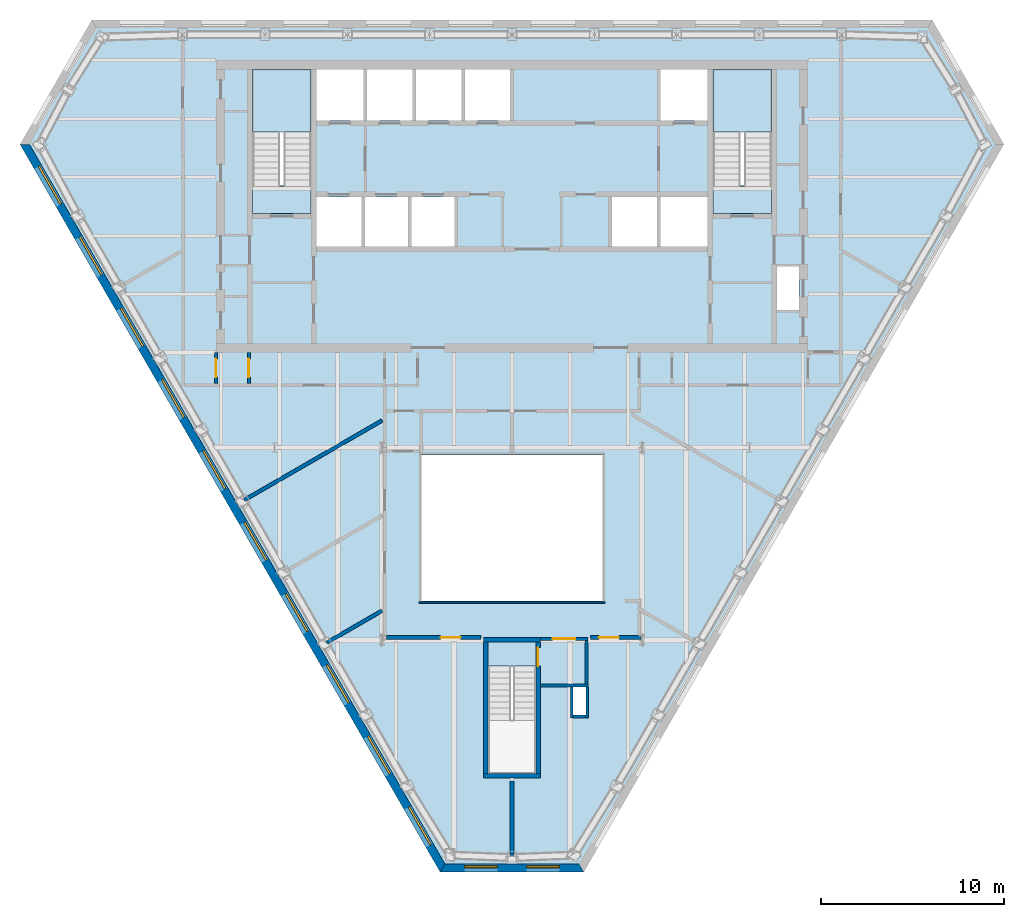
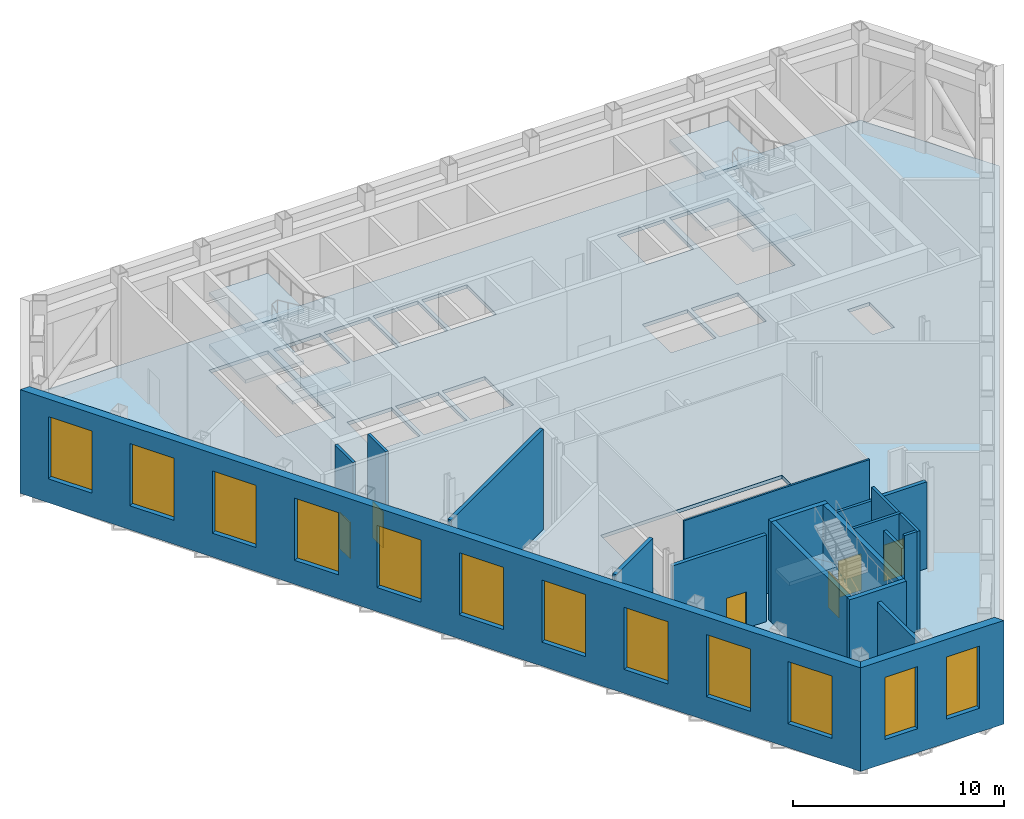
# One storey, part 6 of 13: 20 walls, 12 shading devices, 8 slabs, 6 doors, 18 openings, 3 elements without a shape of their own.
"""IFC4 building model written with IfcOpenShell, lengths in metres."""

from ifc_helpers import new_model, si_unit, direction, frame, frame_2d, origin, place, context, subcontext, project, spatial, polyline, rectangle, outline, extrude, material, layer, layer_set, type_object, element, fill, aggregate, save


model = new_model("IFC4")

# Units and contexts
model_context = context("Model", 3, precision=1e-05, world=origin(), true_north=direction((0.0, 1.0)))
body_context = subcontext(model_context, "Body", "Model", "MODEL_VIEW")
ifc_project = project(units=[si_unit("LENGTHUNIT", "METRE"), si_unit("AREAUNIT", "SQUARE_METRE"), si_unit("VOLUMEUNIT", "CUBIC_METRE"), si_unit("PLANEANGLEUNIT", "RADIAN"), si_unit("MASSUNIT", "GRAM", prefix="KILO")], contexts=[model_context])

# Site, building, storey
site_placement = place(None, origin())
site = spatial("IfcSite", under=ifc_project, at=site_placement, CompositionType="ELEMENT")
building_placement = place(site_placement, origin())
building = spatial("IfcBuilding", under=site, at=building_placement, Name="Njiva Tower", CompositionType="ELEMENT")
storey_placement = place(building_placement, frame((0.0, 0.0, 186.6)))
storey = spatial("IfcBuildingStorey", under=building, at=storey_placement, Name="L41", CompositionType="ELEMENT", Elevation=186.6)

# Stair, slabs
ifc_material_1 = material(Name="Concrete C40/50", Category="concrete")
stair_type_1 = type_object("IfcStairType", Name="ST4 Exit stair 1500", PredefinedType="HALF_TURN_STAIR", material=ifc_material_1)
stair_1_placement = place(storey_placement, origin())
stair_1 = element("IfcStair", 1, at=stair_1_placement, inside=storey, type_object=stair_type_1, Name="Stair A", PredefinedType="DOUBLE_RETURN_STAIR")
ifc_layer_1 = layer(ifc_material_1, 0.2)
ifc_layer_set_1 = layer_set([ifc_layer_1], Name="Concrete C40/50")
slab_type_1 = type_object("IfcSlabType", Name="FL9 Stair landing 200", PredefinedType="LANDING", material=ifc_layer_set_1)
slab_1_placement = place(storey_placement, frame((0.0, 0.0, 1.3)))
slab_1 = element("IfcSlab", 2, at=slab_1_placement, type_object=slab_type_1, Name="ST-A landing 1", PredefinedType="LANDING", context=body_context, shape_type="SweptSolid", body=[
    extrude(outline(polyline([(-14.206, 14.07), (-10.994, 14.07), (-10.994, 17.5), (-14.206, 17.5), (-14.206, 14.07)])), origin(), (0.0, 0.0, 1.0), 0.2),
])
slab_2_placement = place(storey_placement, frame((0.0, 0.0, 2.8)))
slab_2 = element("IfcSlab", 3, at=slab_2_placement, type_object=slab_type_1, Name="ST-A landing 2", PredefinedType="LANDING", context=body_context, shape_type="SweptSolid", body=[
    extrude(outline(polyline([(-14.206, 9.6), (-10.994, 9.6), (-10.994, 11.1), (-14.206, 11.1), (-14.206, 9.6)])), origin(), (0.0, 0.0, 1.0), 0.2),
])
slab_3_placement = place(storey_placement, frame((0.0, 0.0, 4.3)))
slab_3 = element("IfcSlab", 4, at=slab_3_placement, type_object=slab_type_1, Name="ST-A landing 3", PredefinedType="LANDING", context=body_context, shape_type="SweptSolid", body=[
    extrude(outline(polyline([(-14.206, 14.07), (-10.994, 14.07), (-10.994, 17.5), (-14.206, 17.5), (-14.206, 14.07)])), origin(), (0.0, 0.0, 1.0), 0.2),
])
aggregate(stair_1, [slab_1, slab_2, slab_3])

stair_2_placement = place(storey_placement, origin())
stair_2 = element("IfcStair", 5, at=stair_2_placement, inside=storey, type_object=stair_type_1, Name="Stair B", PredefinedType="DOUBLE_RETURN_STAIR")
slab_4_placement = place(storey_placement, frame((0.0, 0.0, 1.3)))
slab_4 = element("IfcSlab", 6, at=slab_4_placement, type_object=slab_type_1, Name="ST-B landing 1", PredefinedType="LANDING", context=body_context, shape_type="SweptSolid", body=[
    extrude(outline(polyline([(10.994, 14.07), (14.206, 14.07), (14.206, 17.5), (10.994, 17.5), (10.994, 14.07)])), origin(), (0.0, 0.0, 1.0), 0.2),
])
slab_5_placement = place(storey_placement, frame((0.0, 0.0, 2.8)))
slab_5 = element("IfcSlab", 7, at=slab_5_placement, type_object=slab_type_1, Name="ST-B landing 2", PredefinedType="LANDING", context=body_context, shape_type="SweptSolid", body=[
    extrude(outline(polyline([(10.994, 9.6), (14.206, 9.6), (14.206, 11.1), (10.994, 11.1), (10.994, 9.6)])), origin(), (0.0, 0.0, 1.0), 0.2),
])
slab_6_placement = place(storey_placement, frame((0.0, 0.0, 4.3)))
slab_6 = element("IfcSlab", 8, at=slab_6_placement, type_object=slab_type_1, Name="ST-B landing 3", PredefinedType="LANDING", context=body_context, shape_type="SweptSolid", body=[
    extrude(outline(polyline([(10.994, 14.07), (14.206, 14.07), (14.206, 17.5), (10.994, 17.5), (10.994, 14.07)])), origin(), (0.0, 0.0, 1.0), 0.2),
])
aggregate(stair_2, [slab_4, slab_5, slab_6])

# Stair, slab
stair_type_2 = type_object("IfcStairType", Name="ST1 Exit stair 1250", PredefinedType="HALF_TURN_STAIR", material=ifc_material_1)
stair_3_placement = place(storey_placement, origin())
stair_3 = element("IfcStair", 9, at=stair_3_placement, inside=storey, type_object=stair_type_2, Name="Stair C", PredefinedType="DOUBLE_RETURN_STAIR")
slab_7_placement = place(storey_placement, frame((0.0, 0.0, 2.8)))
slab_7 = element("IfcSlab", 10, at=slab_7_placement, type_object=slab_type_1, Name="ST-C landing 2", PredefinedType="LANDING", context=body_context, shape_type="SweptSolid", body=[
    extrude(outline(polyline([(-1.306, -15.16), (1.306, -15.16), (1.306, -13.85), (-1.306, -13.85), (-1.306, -15.16)])), origin(), (0.0, 0.0, 1.0), 0.2),
])
aggregate(stair_3, [slab_7])

# Slab
ifc_material_2 = material(Name="Concrete C30/37", Category="concrete")
ifc_layer_2 = layer(ifc_material_2, 0.2)
ifc_layer_set_2 = layer_set([ifc_layer_2], Name="Concrete C30/37")
slab_type_2 = type_object("IfcSlabType", Name="SL16 Composite floor slab 200", PredefinedType="FLOOR", material=ifc_layer_set_2)
slab_8_placement = place(storey_placement, frame((0.0, 0.0, -0.2)))
element("IfcSlab", 11, at=slab_8_placement, inside=storey, type_object=slab_type_2, Name="Floor slab L41", PredefinedType="FLOOR", context=body_context, shape_type="SweptSolid", body=[
    extrude(outline(polyline([(26.6702, 13.393), (3.8001, -26.2191), (-3.8001, -26.2191), (-26.6702, 13.393), (-22.8701, 19.975), (22.8701, 19.975), (26.6702, 13.393)]), holes=[polyline([(14.5, 4.3264), (15.7, 4.3264), (15.7, 6.7), (14.5, 6.7), (14.5, 4.3264)]), polyline([(10.994, 11.13), (14.206, 11.13), (14.206, 17.5), (10.994, 17.5), (10.994, 11.13)]), polyline([(8.125, 14.7), (10.7, 14.7), (10.7, 17.5), (8.125, 17.5), (8.125, 14.7)]), polyline([(8.1333, 7.8), (10.7, 7.8), (10.7, 10.5), (8.1333, 10.5), (8.1333, 7.8)]), polyline([(5.4667, 7.8), (7.9333, 7.8), (7.9333, 10.5), (5.4667, 10.5), (5.4667, 7.8)]), polyline([(4.96, -11.6), (4.96, -3.6), (-4.96, -3.6), (-4.96, -11.6), (4.96, -11.6)]), polyline([(3.35, -17.85), (4.05, -17.85), (4.05, -16.3), (3.35, -16.3), (3.35, -17.85)]), polyline([(-1.306, -21.05), (1.306, -21.05), (1.306, -15.19), (-1.306, -15.19), (-1.306, -21.05)]), polyline([(-2.575, 14.7), (-0.1, 14.7), (-0.1, 17.5), (-2.575, 17.5), (-2.575, 14.7)]), polyline([(-5.25, 14.7), (-2.775, 14.7), (-2.775, 17.5), (-5.25, 17.5), (-5.25, 14.7)]), polyline([(-5.5, 7.8), (-3.15, 7.8), (-3.15, 10.5), (-5.5, 10.5), (-5.5, 7.8)]), polyline([(-7.925, 14.7), (-5.45, 14.7), (-5.45, 17.5), (-7.925, 17.5), (-7.925, 14.7)]), polyline([(-8.05, 7.8), (-5.7, 7.8), (-5.7, 10.5), (-8.05, 10.5), (-8.05, 7.8)]), polyline([(-10.7, 14.7), (-8.125, 14.7), (-8.125, 17.5), (-10.7, 17.5), (-10.7, 14.7)]), polyline([(-10.7, 7.8), (-8.25, 7.8), (-8.25, 10.5), (-10.7, 10.5), (-10.7, 7.8)]), polyline([(-14.206, 11.13), (-10.994, 11.13), (-10.994, 17.5), (-14.206, 17.5), (-14.206, 11.13)])]), origin(), (0.0, 0.0, 1.0), 0.2),
])

# Wall, opening, door
ifc_material_3 = material(Name="Gypsum board on steel studs", Category="gypsum")
ifc_layer_3 = layer(ifc_material_3, 0.15)
ifc_layer_set_3 = layer_set([ifc_layer_3], Name="Gypsum board on steel studs")
wall_type_1 = type_object("IfcWallType", Name="WT21 Compartment wall 150", PredefinedType="PARTITIONING", material=ifc_layer_set_3)
wall_1_placement = place(storey_placement, frame((-16.2, 0.3, 0.0), z_axis=(0.0, 0.0, 1.0), x_axis=(0.0, 1.0, 0.0)))
wall_1 = element("IfcWall", 12, at=wall_1_placement, inside=storey, type_object=wall_type_1, Name="Partition T3-P005", PredefinedType="PARTITIONING", context=body_context, shape_type="SweptSolid", body=[
    extrude(rectangle(XDim=1.7, YDim=0.15, at=frame_2d((0.85, 0.0))), origin(), (0.0, 0.0, 1.0), 5.8),
])
opening_1_placement = place(wall_1_placement, frame((0.35, 0.0, 0.0)))
opening_1 = element("IfcOpeningElement", 13, at=opening_1_placement, cuts=wall_1, Name="Opening T3-D003", PredefinedType="OPENING", context=body_context, shape_type="SweptSolid", body=[
    extrude(rectangle(XDim=1.0, YDim=2.1, at=frame_2d((0.5, 1.05))), frame((0.0, 0.085, 0.0), z_axis=(0.0, -1.0, 0.0), x_axis=(1.0, 0.0, 0.0)), (0.0, 0.0, 1.0), 0.17),
])
ifc_material_4 = material(Name="Steel fire door set", Category="steel")
door_type_1 = type_object("IfcDoorType", Name="D37 Fire door 1000x2100", OperationType="SINGLE_SWING_LEFT", PredefinedType="DOOR", material=ifc_material_4)
door_1_placement = place(opening_1_placement, origin())
door_1 = element("IfcDoor", 14, at=door_1_placement, inside=storey, type_object=door_type_1, Name="Door T3-D003", OperationType="SINGLE_SWING_RIGHT", OverallHeight=2.1, OverallWidth=1.0, PredefinedType="DOOR", context=body_context, shape_type="SweptSolid", body=[
    extrude(rectangle(XDim=1.0, YDim=2.1, at=frame_2d((0.5, 1.05))), frame((0.0, 0.025, 0.0), z_axis=(0.0, -1.0, 0.0), x_axis=(1.0, 0.0, 0.0)), (0.0, 0.0, 1.0), 0.05),
])
fill(opening_1, door_1)

wall_2_placement = place(storey_placement, frame((-14.4, 0.3, 0.0), z_axis=(0.0, 0.0, 1.0), x_axis=(0.0, 1.0, 0.0)))
wall_2 = element("IfcWall", 15, at=wall_2_placement, inside=storey, type_object=wall_type_1, Name="Partition T3-P007", PredefinedType="PARTITIONING", context=body_context, shape_type="SweptSolid", body=[
    extrude(rectangle(XDim=1.7, YDim=0.15, at=frame_2d((0.85, 0.0))), origin(), (0.0, 0.0, 1.0), 5.8),
])
opening_2_placement = place(wall_2_placement, frame((0.35, 0.0, 0.0)))
opening_2 = element("IfcOpeningElement", 16, at=opening_2_placement, cuts=wall_2, Name="Opening T3-D004", PredefinedType="OPENING", context=body_context, shape_type="SweptSolid", body=[
    extrude(rectangle(XDim=1.0, YDim=2.1, at=frame_2d((0.5, 1.05))), frame((0.0, 0.085, 0.0), z_axis=(0.0, -1.0, 0.0), x_axis=(1.0, 0.0, 0.0)), (0.0, 0.0, 1.0), 0.17),
])
door_2_placement = place(opening_2_placement, origin())
door_2 = element("IfcDoor", 17, at=door_2_placement, inside=storey, type_object=door_type_1, Name="Door T3-D004", OperationType="SINGLE_SWING_LEFT", OverallHeight=2.1, OverallWidth=1.0, PredefinedType="DOOR", context=body_context, shape_type="SweptSolid", body=[
    extrude(rectangle(XDim=1.0, YDim=2.1, at=frame_2d((0.5, 1.05))), frame((0.0, 0.025, 0.0), z_axis=(0.0, -1.0, 0.0), x_axis=(1.0, 0.0, 0.0)), (0.0, 0.0, 1.0), 0.05),
])
fill(opening_2, door_2)

# Walls
ifc_material_5 = material(Name="Blockwork", Category="masonry")
ifc_layer_4 = layer(ifc_material_5, 0.2)
ifc_layer_set_4 = layer_set([ifc_layer_4], Name="Blockwork")
wall_type_2 = type_object("IfcWallType", Name="WT22 Plant room wall 200", PredefinedType="PARTITIONING", material=ifc_layer_set_4)
wall_3_placement = place(storey_placement, frame((-14.651, -6.075, 0.0), z_axis=(0.0, 0.0, 1.0), x_axis=(0.866015377534, 0.500017365573, 0.0)))
element("IfcWall", 18, at=wall_3_placement, inside=storey, type_object=wall_type_2, Name="Partition T3-P006", PredefinedType="PARTITIONING", context=body_context, shape_type="SweptSolid", body=[
    extrude(rectangle(XDim=8.7077, YDim=0.2, at=frame_2d((4.3539, 0.0))), origin(), (0.0, 0.0, 1.0), 5.8),
])
wall_4_placement = place(storey_placement, frame((-10.143, -13.883, 0.0), z_axis=(0.0, 0.0, 1.0), x_axis=(0.866038183914, 0.499977863513, 0.0)))
element("IfcWall", 19, at=wall_4_placement, inside=storey, type_object=wall_type_2, Name="Partition T3-P009", PredefinedType="PARTITIONING", context=body_context, shape_type="SweptSolid", body=[
    extrude(rectangle(XDim=3.5022, YDim=0.2, at=frame_2d((1.7511, 0.0))), origin(), (0.0, 0.0, 1.0), 5.8),
])

# Wall, opening, door
wall_5_placement = place(storey_placement, frame((-6.86, -13.6, 0.0), z_axis=(0.0, 0.0, 1.0), x_axis=(1.0, 0.0, 0.0)))
wall_5 = element("IfcWall", 20, at=wall_5_placement, inside=storey, type_object=wall_type_2, Name="Partition T3-P012", PredefinedType="PARTITIONING", context=body_context, shape_type="SweptSolid", body=[
    extrude(rectangle(XDim=5.16, YDim=0.2, at=frame_2d((2.58, 0.0))), origin(), (0.0, 0.0, 1.0), 5.01),
])
opening_3_placement = place(wall_5_placement, frame((2.949, 0.0, 0.0)))
opening_3 = element("IfcOpeningElement", 21, at=opening_3_placement, cuts=wall_5, Name="Opening T3-D008", PredefinedType="OPENING", context=body_context, shape_type="SweptSolid", body=[
    extrude(rectangle(XDim=1.1, YDim=2.1, at=frame_2d((0.55, 1.05))), frame((0.0, 0.11, 0.0), z_axis=(0.0, -1.0, 0.0), x_axis=(1.0, 0.0, 0.0)), (0.0, 0.0, 1.0), 0.22),
])
ifc_material_6 = material(Name="Steel door set", Category="steel")
door_type_2 = type_object("IfcDoorType", Name="D34 Plant door 1100x2100", OperationType="SINGLE_SWING_LEFT", PredefinedType="DOOR", material=ifc_material_6)
door_3_placement = place(opening_3_placement, origin())
door_3 = element("IfcDoor", 22, at=door_3_placement, inside=storey, type_object=door_type_2, Name="Door T3-D008", OperationType="SINGLE_SWING_RIGHT", OverallHeight=2.1, OverallWidth=1.1, PredefinedType="DOOR", context=body_context, shape_type="SweptSolid", body=[
    extrude(rectangle(XDim=1.1, YDim=2.1, at=frame_2d((0.55, 1.05))), frame((0.0, 0.025, 0.0), z_axis=(0.0, -1.0, 0.0), x_axis=(1.0, 0.0, 0.0)), (0.0, 0.0, 1.0), 0.05),
])
fill(opening_3, door_3)

# Wall
wall_6_placement = place(storey_placement, frame((0.0, -25.544, 0.0), z_axis=(0.0, 0.0, 1.0), x_axis=(0.0, 1.0, 0.0)))
element("IfcWall", 23, at=wall_6_placement, inside=storey, type_object=wall_type_2, Name="Partition T3-P020", PredefinedType="PARTITIONING", context=body_context, shape_type="SweptSolid", body=[
    extrude(rectangle(XDim=4.094, YDim=0.2, at=frame_2d((2.047, 0.0))), origin(), (0.0, 0.0, 1.0), 5.25),
])

# Wall, opening, door
wall_7_placement = place(storey_placement, frame((4.3, -13.6, 0.0), z_axis=(0.0, 0.0, 1.0), x_axis=(1.0, 0.0, 0.0)))
wall_7 = element("IfcWall", 24, at=wall_7_placement, inside=storey, type_object=wall_type_2, Name="Partition T3-P021", PredefinedType="PARTITIONING", context=body_context, shape_type="SweptSolid", body=[
    extrude(rectangle(XDim=2.76, YDim=0.2, at=frame_2d((1.38, 0.0))), origin(), (0.0, 0.0, 1.0), 5.01),
])
opening_4_placement = place(wall_7_placement, frame((0.452, 0.0, 0.0)))
opening_4 = element("IfcOpeningElement", 25, at=opening_4_placement, cuts=wall_7, Name="Opening T3-D014", PredefinedType="OPENING", context=body_context, shape_type="SweptSolid", body=[
    extrude(rectangle(XDim=1.1, YDim=2.1, at=frame_2d((0.55, 1.05))), frame((0.0, 0.11, 0.0), z_axis=(0.0, -1.0, 0.0), x_axis=(1.0, 0.0, 0.0)), (0.0, 0.0, 1.0), 0.22),
])
door_4_placement = place(opening_4_placement, origin())
door_4 = element("IfcDoor", 26, at=door_4_placement, inside=storey, type_object=door_type_2, Name="Door T3-D014", OperationType="SINGLE_SWING_LEFT", OverallHeight=2.1, OverallWidth=1.1, PredefinedType="DOOR", context=body_context, shape_type="SweptSolid", body=[
    extrude(rectangle(XDim=1.1, YDim=2.1, at=frame_2d((0.55, 1.05))), frame((0.0, 0.025, 0.0), z_axis=(0.0, -1.0, 0.0), x_axis=(1.0, 0.0, 0.0)), (0.0, 0.0, 1.0), 0.05),
])
fill(opening_4, door_4)

# Walls
ifc_layer_5 = layer(ifc_material_5, 0.15)
ifc_layer_set_5 = layer_set([ifc_layer_5], Name="Blockwork")
wall_type_3 = type_object("IfcWallType", Name="WT4 Stair partition 150", PredefinedType="PARTITIONING", material=ifc_layer_set_5)
wall_8_placement = place(storey_placement, frame((1.55, -16.225, 0.0), z_axis=(0.0, 0.0, 1.0), x_axis=(1.0, 0.0, 0.0)))
element("IfcWall", 27, at=wall_8_placement, inside=storey, type_object=wall_type_3, Name="Stair C vestibule wall south", PredefinedType="PARTITIONING", context=body_context, shape_type="SweptSolid", body=[
    extrude(rectangle(XDim=2.6, YDim=0.15, at=frame_2d((1.3, 0.0))), origin(), (0.0, 0.0, 1.0), 5.8),
])
wall_9_placement = place(storey_placement, frame((4.075, -16.15, 0.0), z_axis=(0.0, 0.0, 1.0), x_axis=(0.0, 1.0, 0.0)))
element("IfcWall", 28, at=wall_9_placement, inside=storey, type_object=wall_type_3, Name="Stair C vestibule wall east", PredefinedType="PARTITIONING", context=body_context, shape_type="SweptSolid", body=[
    extrude(rectangle(XDim=2.4, YDim=0.15, at=frame_2d((1.2, 0.0))), origin(), (0.0, 0.0, 1.0), 5.8),
])

# Wall, opening, door
wall_10_placement = place(storey_placement, frame((1.55, -13.675, 0.0), z_axis=(0.0, 0.0, 1.0), x_axis=(1.0, 0.0, 0.0)))
wall_10 = element("IfcWall", 29, at=wall_10_placement, inside=storey, type_object=wall_type_3, Name="Stair C vestibule wall north", PredefinedType="PARTITIONING", context=body_context, shape_type="SweptSolid", body=[
    extrude(rectangle(XDim=2.6, YDim=0.15, at=frame_2d((1.3, 0.0))), origin(), (0.0, 0.0, 1.0), 5.01),
])
opening_5_placement = place(wall_10_placement, frame((0.675, 0.0, 0.0)))
opening_5 = element("IfcOpeningElement", 30, at=opening_5_placement, cuts=wall_10, Name="Opening T3-D936", PredefinedType="OPENING", context=body_context, shape_type="SweptSolid", body=[
    extrude(rectangle(XDim=1.25, YDim=2.1, at=frame_2d((0.625, 1.05))), frame((0.0, 0.085, 0.0), z_axis=(0.0, -1.0, 0.0), x_axis=(1.0, 0.0, 0.0)), (0.0, 0.0, 1.0), 0.17),
])
ifc_material_7 = material(Name="Glazed steel fire door", Category="steel")
door_type_3 = type_object("IfcDoorType", Name="D8 Vestibule corridor door 1250x2100 glazed", OperationType="SINGLE_SWING_LEFT", PredefinedType="DOOR", material=ifc_material_7)
door_5_placement = place(opening_5_placement, origin())
door_5 = element("IfcDoor", 31, at=door_5_placement, inside=storey, type_object=door_type_3, Name="Stair vestibule corridor door", OperationType="SINGLE_SWING_RIGHT", OverallHeight=2.1, OverallWidth=1.25, PredefinedType="DOOR", context=body_context, shape_type="SweptSolid", body=[
    extrude(rectangle(XDim=1.25, YDim=2.1, at=frame_2d((0.625, 1.05))), frame((0.0, 0.025, 0.0), z_axis=(0.0, -1.0, 0.0), x_axis=(1.0, 0.0, 0.0)), (0.0, 0.0, 1.0), 0.05),
])
fill(opening_5, door_5)

# Walls
wall_11_placement = place(storey_placement, frame((3.275, -18.0, 0.0), z_axis=(0.0, 0.0, 1.0), x_axis=(0.0, 1.0, 0.0)))
element("IfcWall", 32, at=wall_11_placement, inside=storey, type_object=wall_type_3, Name="Stair C pressurisation shaft wall", PredefinedType="PARTITIONING", context=body_context, shape_type="SweptSolid", body=[
    extrude(rectangle(XDim=1.7, YDim=0.15, at=frame_2d((0.85, 0.0))), origin(), (0.0, 0.0, 1.0), 5.11),
])
wall_12_placement = place(storey_placement, frame((3.35, -17.925, 0.0), z_axis=(0.0, 0.0, 1.0), x_axis=(1.0, 0.0, 0.0)))
element("IfcWall", 33, at=wall_12_placement, inside=storey, type_object=wall_type_3, Name="Stair C pressurisation shaft wall", PredefinedType="PARTITIONING", context=body_context, shape_type="SweptSolid", body=[
    extrude(rectangle(XDim=0.7, YDim=0.15, at=frame_2d((0.35, 0.0))), origin(), (0.0, 0.0, 1.0), 5.8),
])
wall_13_placement = place(storey_placement, frame((4.125, -18.0, 0.0), z_axis=(0.0, 0.0, 1.0), x_axis=(0.0, 1.0, 0.0)))
element("IfcWall", 34, at=wall_13_placement, inside=storey, type_object=wall_type_3, Name="Stair C pressurisation shaft wall", PredefinedType="PARTITIONING", context=body_context, shape_type="SweptSolid", body=[
    extrude(rectangle(XDim=1.7, YDim=0.15, at=frame_2d((0.85, 0.0))), origin(), (0.0, 0.0, 1.0), 5.8),
])
ifc_layer_6 = layer(ifc_material_1, 0.25)
ifc_layer_set_6 = layer_set([ifc_layer_6], Name="Concrete C40/50")
wall_type_4 = type_object("IfcWallType", Name="WT9 Stair enclosure wall 250", PredefinedType="SHEAR", material=ifc_layer_set_6)
wall_14_placement = place(storey_placement, frame((-1.425, -21.05, 0.0), z_axis=(0.0, 0.0, 1.0), x_axis=(0.0, 1.0, 0.0)))
element("IfcWall", 35, at=wall_14_placement, inside=storey, type_object=wall_type_4, Name="Stair C wall west", PredefinedType="SHEAR", context=body_context, shape_type="SweptSolid", body=[
    extrude(rectangle(XDim=7.2, YDim=0.25, at=frame_2d((3.6, 0.0))), origin(), (0.0, 0.0, 1.0), 5.8),
])

# Wall, opening, door
wall_15_placement = place(storey_placement, frame((1.425, -21.05, 0.0), z_axis=(0.0, 0.0, 1.0), x_axis=(0.0, 1.0, 0.0)))
wall_15 = element("IfcWall", 36, at=wall_15_placement, inside=storey, type_object=wall_type_4, Name="Stair C wall east", PredefinedType="SHEAR", context=body_context, shape_type="SweptSolid", body=[
    extrude(rectangle(XDim=7.2, YDim=0.25, at=frame_2d((3.6, 0.0))), origin(), (0.0, 0.0, 1.0), 5.8),
])
opening_6_placement = place(wall_15_placement, frame((5.89, 0.0, 0.0)))
opening_6 = element("IfcOpeningElement", 37, at=opening_6_placement, cuts=wall_15, Name="Opening T3-D935", PredefinedType="OPENING", context=body_context, shape_type="SweptSolid", body=[
    extrude(rectangle(XDim=1.0, YDim=2.1, at=frame_2d((0.5, 1.05))), frame((0.0, 0.135, 0.0), z_axis=(0.0, -1.0, 0.0), x_axis=(1.0, 0.0, 0.0)), (0.0, 0.0, 1.0), 0.27),
])
door_type_4 = type_object("IfcDoorType", Name="D9 Stair vestibule door 1000x2100 glazed", OperationType="SINGLE_SWING_LEFT", PredefinedType="DOOR", material=ifc_material_7)
door_6_placement = place(opening_6_placement, origin())
door_6 = element("IfcDoor", 38, at=door_6_placement, inside=storey, type_object=door_type_4, Name="Stair C door", OperationType="SINGLE_SWING_LEFT", OverallHeight=2.1, OverallWidth=1.0, PredefinedType="DOOR", context=body_context, shape_type="SweptSolid", body=[
    extrude(rectangle(XDim=1.0, YDim=2.1, at=frame_2d((0.5, 1.05))), frame((0.0, 0.025, 0.0), z_axis=(0.0, -1.0, 0.0), x_axis=(1.0, 0.0, 0.0)), (0.0, 0.0, 1.0), 0.05),
])
fill(opening_6, door_6)

# Walls
for number, where, z_axis, x_axis, name in (
    (39, (-1.55, -21.175, 0.0), (0.0, 0.0, 1.0), (1.0, 0.0, 0.0), "Stair C wall south"),
    (40, (-1.55, -13.725, 0.0), (0.0, 0.0, 1.0), (1.0, 0.0, 0.0), "Stair C wall north"),
):
    element("IfcWall", number, at=place(storey_placement, frame(where, z_axis=z_axis, x_axis=x_axis)), inside=storey, type_object=wall_type_4, Name=name, PredefinedType="SHEAR", context=body_context, shape_type="SweptSolid", body=[
        extrude(rectangle(XDim=3.1, YDim=0.25, at=frame_2d((1.55, 0.0))), origin(), (0.0, 0.0, 1.0), 5.8),
    ])

# Wall, openings, shading devices
ifc_material_8 = material(Name="Brick masonry, buff", Category="masonry")
ifc_layer_7 = layer(ifc_material_8, 0.45)
ifc_layer_set_7 = layer_set([ifc_layer_7], Name="Brick masonry, buff")
wall_type_5 = type_object("IfcWallType", Name="WT94 Brick pier and spandrel wall 450, buff", PredefinedType="SOLIDWALL", material=ifc_layer_set_7)
wall_16_placement = place(storey_placement, frame((-26.6702, 13.393, -0.18), z_axis=(0.0, 0.0, 1.0), x_axis=(0.500000711659, -0.866024992908, 0.0)))
wall_16 = element("IfcWall", 41, at=wall_16_placement, inside=storey, type_object=wall_type_5, Name="Facade wall SW", PredefinedType="SOLIDWALL", context=body_context, shape_type="SweptSolid", body=[
    extrude(outline(polyline([(-0.1299, -0.225), (45.87, -0.225), (45.6102, 0.225), (0.1299, 0.225), (-0.1299, -0.225)])), origin(), (0.0, 0.0, 1.0), 6.0),
])
opening_7_placement = place(wall_16_placement, frame((1.4242, 0.0, 1.38)))
opening_7 = element("IfcOpeningElement", 42, at=opening_7_placement, cuts=wall_16, Name="Opening T3-LV13", PredefinedType="OPENING", context=body_context, shape_type="SweptSolid", body=[
    extrude(rectangle(XDim=2.4, YDim=3.6, at=frame_2d((1.2, 1.8))), frame((0.0, 0.235, 0.0), z_axis=(0.0, -1.0, 0.0), x_axis=(1.0, 0.0, 0.0)), (0.0, 0.0, 1.0), 0.47),
])
opening_8_placement = place(wall_16_placement, frame((5.8934, 0.0, 1.38)))
opening_8 = element("IfcOpeningElement", 43, at=opening_8_placement, cuts=wall_16, Name="Opening T3-LV14", PredefinedType="OPENING", context=body_context, shape_type="SweptSolid", body=[
    extrude(rectangle(XDim=2.4, YDim=3.6, at=frame_2d((1.2, 1.8))), frame((0.0, 0.235, 0.0), z_axis=(0.0, -1.0, 0.0), x_axis=(1.0, 0.0, 0.0)), (0.0, 0.0, 1.0), 0.47),
])
opening_9_placement = place(wall_16_placement, frame((10.401, 0.0, 1.38)))
opening_9 = element("IfcOpeningElement", 44, at=opening_9_placement, cuts=wall_16, Name="Opening T3-LV15", PredefinedType="OPENING", context=body_context, shape_type="SweptSolid", body=[
    extrude(rectangle(XDim=2.4, YDim=3.6, at=frame_2d((1.2, 1.8))), frame((0.0, 0.235, 0.0), z_axis=(0.0, -1.0, 0.0), x_axis=(1.0, 0.0, 0.0)), (0.0, 0.0, 1.0), 0.47),
])
opening_10_placement = place(wall_16_placement, frame((14.9087, 0.0, 1.38)))
opening_10 = element("IfcOpeningElement", 45, at=opening_10_placement, cuts=wall_16, Name="Opening T3-LV16", PredefinedType="OPENING", context=body_context, shape_type="SweptSolid", body=[
    extrude(rectangle(XDim=2.4, YDim=3.6, at=frame_2d((1.2, 1.8))), frame((0.0, 0.235, 0.0), z_axis=(0.0, -1.0, 0.0), x_axis=(1.0, 0.0, 0.0)), (0.0, 0.0, 1.0), 0.47),
])
opening_11_placement = place(wall_16_placement, frame((19.4163, 0.0, 1.38)))
opening_11 = element("IfcOpeningElement", 46, at=opening_11_placement, cuts=wall_16, Name="Opening T3-LV17", PredefinedType="OPENING", context=body_context, shape_type="SweptSolid", body=[
    extrude(rectangle(XDim=2.4, YDim=3.6, at=frame_2d((1.2, 1.8))), frame((0.0, 0.235, 0.0), z_axis=(0.0, -1.0, 0.0), x_axis=(1.0, 0.0, 0.0)), (0.0, 0.0, 1.0), 0.47),
])
opening_12_placement = place(wall_16_placement, frame((23.9239, 0.0, 1.38)))
opening_12 = element("IfcOpeningElement", 47, at=opening_12_placement, cuts=wall_16, Name="Opening T3-LV18", PredefinedType="OPENING", context=body_context, shape_type="SweptSolid", body=[
    extrude(rectangle(XDim=2.4, YDim=3.6, at=frame_2d((1.2, 1.8))), frame((0.0, 0.235, 0.0), z_axis=(0.0, -1.0, 0.0), x_axis=(1.0, 0.0, 0.0)), (0.0, 0.0, 1.0), 0.47),
])
opening_13_placement = place(wall_16_placement, frame((28.4315, 0.0, 1.38)))
opening_13 = element("IfcOpeningElement", 48, at=opening_13_placement, cuts=wall_16, Name="Opening T3-LV19", PredefinedType="OPENING", context=body_context, shape_type="SweptSolid", body=[
    extrude(rectangle(XDim=2.4, YDim=3.6, at=frame_2d((1.2, 1.8))), frame((0.0, 0.235, 0.0), z_axis=(0.0, -1.0, 0.0), x_axis=(1.0, 0.0, 0.0)), (0.0, 0.0, 1.0), 0.47),
])
opening_14_placement = place(wall_16_placement, frame((32.9391, 0.0, 1.38)))
opening_14 = element("IfcOpeningElement", 49, at=opening_14_placement, cuts=wall_16, Name="Opening T3-LV20", PredefinedType="OPENING", context=body_context, shape_type="SweptSolid", body=[
    extrude(rectangle(XDim=2.4, YDim=3.6, at=frame_2d((1.2, 1.8))), frame((0.0, 0.235, 0.0), z_axis=(0.0, -1.0, 0.0), x_axis=(1.0, 0.0, 0.0)), (0.0, 0.0, 1.0), 0.47),
])
opening_15_placement = place(wall_16_placement, frame((37.4468, 0.0, 1.38)))
opening_15 = element("IfcOpeningElement", 50, at=opening_15_placement, cuts=wall_16, Name="Opening T3-LV21", PredefinedType="OPENING", context=body_context, shape_type="SweptSolid", body=[
    extrude(rectangle(XDim=2.4, YDim=3.6, at=frame_2d((1.2, 1.8))), frame((0.0, 0.235, 0.0), z_axis=(0.0, -1.0, 0.0), x_axis=(1.0, 0.0, 0.0)), (0.0, 0.0, 1.0), 0.47),
])
opening_16_placement = place(wall_16_placement, frame((41.916, 0.0, 1.38)))
opening_16 = element("IfcOpeningElement", 51, at=opening_16_placement, cuts=wall_16, Name="Opening T3-LV22", PredefinedType="OPENING", context=body_context, shape_type="SweptSolid", body=[
    extrude(rectangle(XDim=2.4, YDim=3.6, at=frame_2d((1.2, 1.8))), frame((0.0, 0.235, 0.0), z_axis=(0.0, -1.0, 0.0), x_axis=(1.0, 0.0, 0.0)), (0.0, 0.0, 1.0), 0.47),
])
ifc_material_9 = material(Name="Aluminium louvre blades", Category="aluminium")
shading_device_type_1 = type_object("IfcShadingDeviceType", Name="LV1 Plant louvre 2400x3600", PredefinedType="JALOUSIE", material=ifc_material_9)
shading_device_1_placement = place(opening_7_placement, origin())
shading_device_1 = element("IfcShadingDevice", 52, at=shading_device_1_placement, inside=storey, type_object=shading_device_type_1, Name="Plant louvre", PredefinedType="JALOUSIE", context=body_context, shape_type="SweptSolid", body=[
    extrude(rectangle(XDim=2.4, YDim=3.6, at=frame_2d((1.2, 1.8))), frame((0.0, 0.125, 0.0), z_axis=(0.0, -1.0, 0.0), x_axis=(1.0, 0.0, 0.0)), (0.0, 0.0, 1.0), 0.1),
])
fill(opening_7, shading_device_1)
shading_device_2_placement = place(opening_8_placement, origin())
shading_device_2 = element("IfcShadingDevice", 53, at=shading_device_2_placement, inside=storey, type_object=shading_device_type_1, Name="Plant louvre", PredefinedType="JALOUSIE", context=body_context, shape_type="SweptSolid", body=[
    extrude(rectangle(XDim=2.4, YDim=3.6, at=frame_2d((1.2, 1.8))), frame((0.0, 0.125, 0.0), z_axis=(0.0, -1.0, 0.0), x_axis=(1.0, 0.0, 0.0)), (0.0, 0.0, 1.0), 0.1),
])
fill(opening_8, shading_device_2)
shading_device_3_placement = place(opening_9_placement, origin())
shading_device_3 = element("IfcShadingDevice", 54, at=shading_device_3_placement, inside=storey, type_object=shading_device_type_1, Name="Plant louvre", PredefinedType="JALOUSIE", context=body_context, shape_type="SweptSolid", body=[
    extrude(rectangle(XDim=2.4, YDim=3.6, at=frame_2d((1.2, 1.8))), frame((0.0, 0.125, 0.0), z_axis=(0.0, -1.0, 0.0), x_axis=(1.0, 0.0, 0.0)), (0.0, 0.0, 1.0), 0.1),
])
fill(opening_9, shading_device_3)
shading_device_4_placement = place(opening_10_placement, origin())
shading_device_4 = element("IfcShadingDevice", 55, at=shading_device_4_placement, inside=storey, type_object=shading_device_type_1, Name="Plant louvre", PredefinedType="JALOUSIE", context=body_context, shape_type="SweptSolid", body=[
    extrude(rectangle(XDim=2.4, YDim=3.6, at=frame_2d((1.2, 1.8))), frame((0.0, 0.125, 0.0), z_axis=(0.0, -1.0, 0.0), x_axis=(1.0, 0.0, 0.0)), (0.0, 0.0, 1.0), 0.1),
])
fill(opening_10, shading_device_4)
shading_device_5_placement = place(opening_11_placement, origin())
shading_device_5 = element("IfcShadingDevice", 56, at=shading_device_5_placement, inside=storey, type_object=shading_device_type_1, Name="Plant louvre", PredefinedType="JALOUSIE", context=body_context, shape_type="SweptSolid", body=[
    extrude(rectangle(XDim=2.4, YDim=3.6, at=frame_2d((1.2, 1.8))), frame((0.0, 0.125, 0.0), z_axis=(0.0, -1.0, 0.0), x_axis=(1.0, 0.0, 0.0)), (0.0, 0.0, 1.0), 0.1),
])
fill(opening_11, shading_device_5)
shading_device_6_placement = place(opening_12_placement, origin())
shading_device_6 = element("IfcShadingDevice", 57, at=shading_device_6_placement, inside=storey, type_object=shading_device_type_1, Name="Plant louvre", PredefinedType="JALOUSIE", context=body_context, shape_type="SweptSolid", body=[
    extrude(rectangle(XDim=2.4, YDim=3.6, at=frame_2d((1.2, 1.8))), frame((0.0, 0.125, 0.0), z_axis=(0.0, -1.0, 0.0), x_axis=(1.0, 0.0, 0.0)), (0.0, 0.0, 1.0), 0.1),
])
fill(opening_12, shading_device_6)
shading_device_7_placement = place(opening_13_placement, origin())
shading_device_7 = element("IfcShadingDevice", 58, at=shading_device_7_placement, inside=storey, type_object=shading_device_type_1, Name="Plant louvre", PredefinedType="JALOUSIE", context=body_context, shape_type="SweptSolid", body=[
    extrude(rectangle(XDim=2.4, YDim=3.6, at=frame_2d((1.2, 1.8))), frame((0.0, 0.125, 0.0), z_axis=(0.0, -1.0, 0.0), x_axis=(1.0, 0.0, 0.0)), (0.0, 0.0, 1.0), 0.1),
])
fill(opening_13, shading_device_7)
shading_device_8_placement = place(opening_14_placement, origin())
shading_device_8 = element("IfcShadingDevice", 59, at=shading_device_8_placement, inside=storey, type_object=shading_device_type_1, Name="Plant louvre", PredefinedType="JALOUSIE", context=body_context, shape_type="SweptSolid", body=[
    extrude(rectangle(XDim=2.4, YDim=3.6, at=frame_2d((1.2, 1.8))), frame((0.0, 0.125, 0.0), z_axis=(0.0, -1.0, 0.0), x_axis=(1.0, 0.0, 0.0)), (0.0, 0.0, 1.0), 0.1),
])
fill(opening_14, shading_device_8)
shading_device_9_placement = place(opening_15_placement, origin())
shading_device_9 = element("IfcShadingDevice", 60, at=shading_device_9_placement, inside=storey, type_object=shading_device_type_1, Name="Plant louvre", PredefinedType="JALOUSIE", context=body_context, shape_type="SweptSolid", body=[
    extrude(rectangle(XDim=2.4, YDim=3.6, at=frame_2d((1.2, 1.8))), frame((0.0, 0.125, 0.0), z_axis=(0.0, -1.0, 0.0), x_axis=(1.0, 0.0, 0.0)), (0.0, 0.0, 1.0), 0.1),
])
fill(opening_15, shading_device_9)
shading_device_10_placement = place(opening_16_placement, origin())
shading_device_10 = element("IfcShadingDevice", 61, at=shading_device_10_placement, inside=storey, type_object=shading_device_type_1, Name="Plant louvre", PredefinedType="JALOUSIE", context=body_context, shape_type="SweptSolid", body=[
    extrude(rectangle(XDim=2.4, YDim=3.6, at=frame_2d((1.2, 1.8))), frame((0.0, 0.125, 0.0), z_axis=(0.0, -1.0, 0.0), x_axis=(1.0, 0.0, 0.0)), (0.0, 0.0, 1.0), 0.1),
])
fill(opening_16, shading_device_10)

wall_17_placement = place(storey_placement, frame((-3.8001, -26.2191, -0.18), z_axis=(0.0, 0.0, 1.0), x_axis=(1.0, 0.0, 0.0)))
wall_17 = element("IfcWall", 62, at=wall_17_placement, inside=storey, type_object=wall_type_5, Name="Facade wall S", PredefinedType="SOLIDWALL", context=body_context, shape_type="SweptSolid", body=[
    extrude(outline(polyline([(-0.1299, -0.225), (7.7301, -0.225), (7.4703, 0.225), (0.1299, 0.225), (-0.1299, -0.225)])), origin(), (0.0, 0.0, 1.0), 6.0),
])
opening_17_placement = place(wall_17_placement, frame((1.2044, 0.0, 1.38)))
opening_17 = element("IfcOpeningElement", 63, at=opening_17_placement, cuts=wall_17, Name="Opening T3-LV23", PredefinedType="OPENING", context=body_context, shape_type="SweptSolid", body=[
    extrude(rectangle(XDim=1.8, YDim=3.6, at=frame_2d((0.9, 1.8))), frame((0.0, 0.235, 0.0), z_axis=(0.0, -1.0, 0.0), x_axis=(1.0, 0.0, 0.0)), (0.0, 0.0, 1.0), 0.47),
])
opening_18_placement = place(wall_17_placement, frame((4.5957, 0.0, 1.38)))
opening_18 = element("IfcOpeningElement", 64, at=opening_18_placement, cuts=wall_17, Name="Opening T3-LV24", PredefinedType="OPENING", context=body_context, shape_type="SweptSolid", body=[
    extrude(rectangle(XDim=1.8, YDim=3.6, at=frame_2d((0.9, 1.8))), frame((0.0, 0.235, 0.0), z_axis=(0.0, -1.0, 0.0), x_axis=(1.0, 0.0, 0.0)), (0.0, 0.0, 1.0), 0.47),
])
shading_device_type_2 = type_object("IfcShadingDeviceType", Name="LV2 Plant louvre 1800x3600", PredefinedType="JALOUSIE", material=ifc_material_9)
shading_device_11_placement = place(opening_17_placement, origin())
shading_device_11 = element("IfcShadingDevice", 65, at=shading_device_11_placement, inside=storey, type_object=shading_device_type_2, Name="Plant louvre", PredefinedType="JALOUSIE", context=body_context, shape_type="SweptSolid", body=[
    extrude(rectangle(XDim=1.8, YDim=3.6, at=frame_2d((0.9, 1.8))), frame((0.0, 0.125, 0.0), z_axis=(0.0, -1.0, 0.0), x_axis=(1.0, 0.0, 0.0)), (0.0, 0.0, 1.0), 0.1),
])
fill(opening_17, shading_device_11)
shading_device_12_placement = place(opening_18_placement, origin())
shading_device_12 = element("IfcShadingDevice", 66, at=shading_device_12_placement, inside=storey, type_object=shading_device_type_2, Name="Plant louvre", PredefinedType="JALOUSIE", context=body_context, shape_type="SweptSolid", body=[
    extrude(rectangle(XDim=1.8, YDim=3.6, at=frame_2d((0.9, 1.8))), frame((0.0, 0.125, 0.0), z_axis=(0.0, -1.0, 0.0), x_axis=(1.0, 0.0, 0.0)), (0.0, 0.0, 1.0), 0.1),
])
fill(opening_18, shading_device_12)

# Wall
ifc_material_10 = material(Name="Fire-resisting glazing EI 90", Category="glass")
ifc_layer_8 = layer(ifc_material_10, 0.1)
ifc_layer_set_8 = layer_set([ifc_layer_8], Name="Fire-resisting glazing EI 90")
wall_type_6 = type_object("IfcWallType", Name="WT95 Fire-resisting glazed screen EI 90", PredefinedType="PARTITIONING", material=ifc_layer_set_8)
wall_18_placement = place(storey_placement, frame((-5.08, -11.67, 0.0), z_axis=(0.0, 0.0, 1.0), x_axis=(1.0, 0.0, 0.0)))
element("IfcWall", 67, at=wall_18_placement, inside=storey, type_object=wall_type_6, Name="Atrium fire screen south", PredefinedType="PARTITIONING", context=body_context, shape_type="SweptSolid", body=[
    extrude(rectangle(XDim=10.16, YDim=0.1, at=frame_2d((5.08, 0.0))), origin(), (0.0, 0.0, 1.0), 5.8),
])

save(model, "model.ifc")
